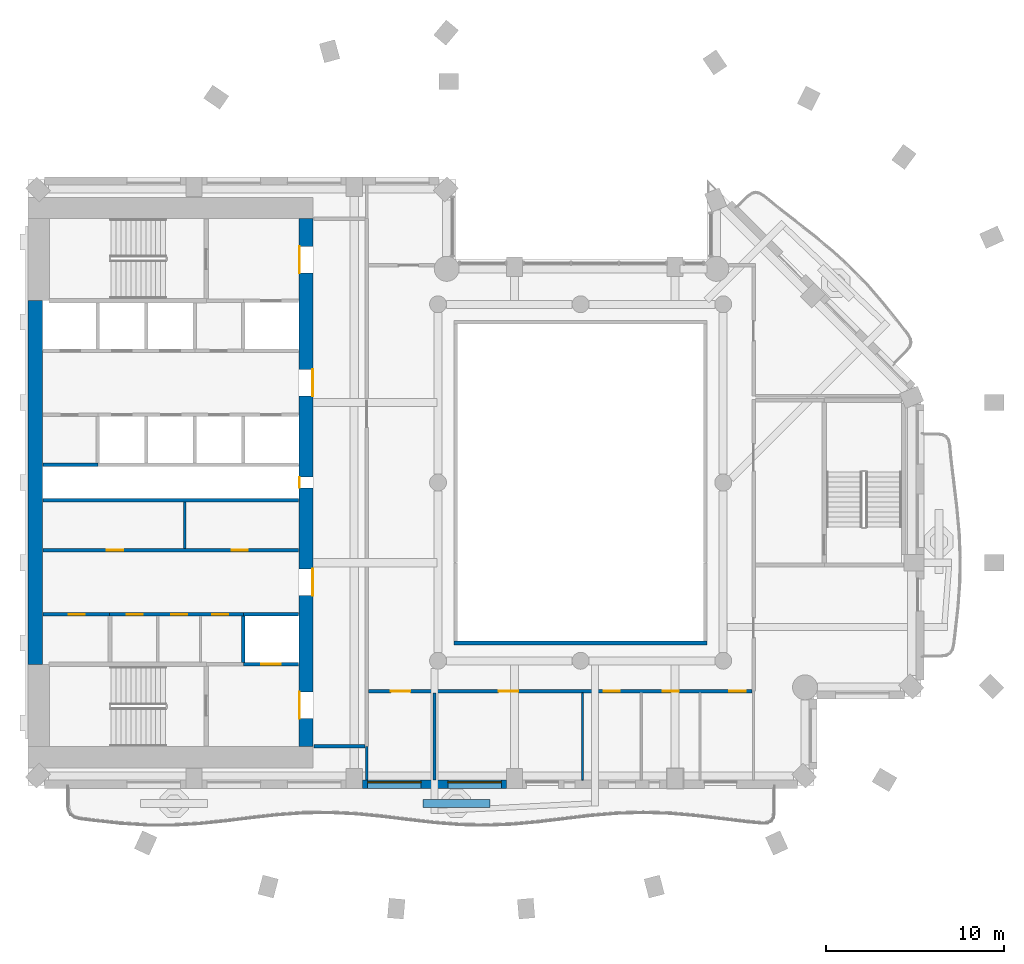
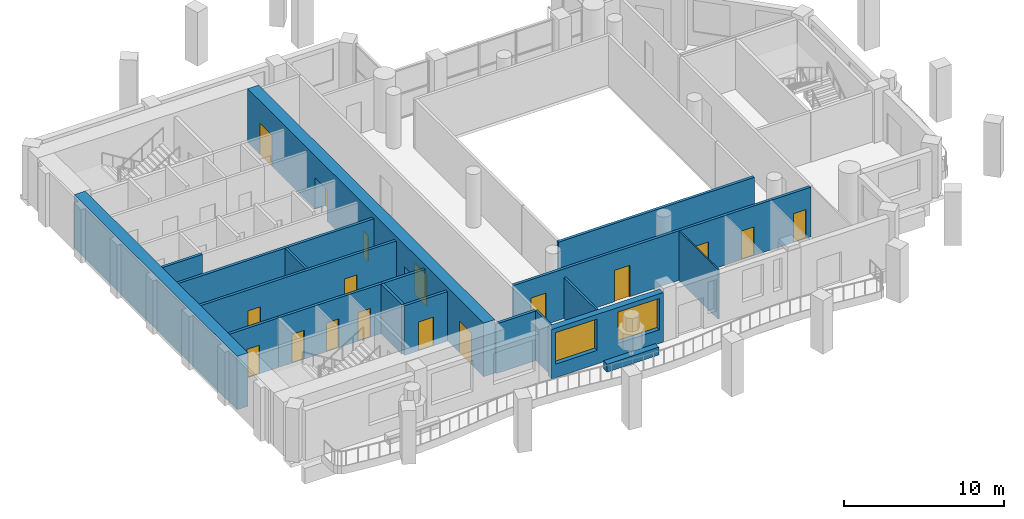
# One storey, part 4 of 15: 19 walls, 17 doors, 2 windows, 19 openings.
"""IFC4 building model written with IfcOpenShell, lengths in metres."""

from ifc_helpers import new_model, si_unit, direction, frame, frame_2d, origin, place, context, subcontext, project, spatial, rectangle, extrude, material, layer, layer_set, type_object, element, fill, save


model = new_model("IFC4")

# Units and contexts
model_context = context("Model", 3, precision=1e-05, world=origin(), true_north=direction((0.0, 1.0)))
body_context = subcontext(model_context, "Body", "Model", "MODEL_VIEW")
ifc_project = project(units=[si_unit("LENGTHUNIT", "METRE"), si_unit("AREAUNIT", "SQUARE_METRE"), si_unit("VOLUMEUNIT", "CUBIC_METRE"), si_unit("PLANEANGLEUNIT", "RADIAN"), si_unit("MASSUNIT", "GRAM", prefix="KILO")], contexts=[model_context])

# Site, building, storey
site_placement = place(None, origin())
site = spatial("IfcSite", under=ifc_project, at=site_placement, CompositionType="ELEMENT")
building_placement = place(site_placement, origin())
building = spatial("IfcBuilding", under=site, at=building_placement, Name="Cypress Arch Tower", CompositionType="ELEMENT")
storey_placement = place(building_placement, frame((0.0, 0.0, 213.800048828125)))
storey = spatial("IfcBuildingStorey", under=building, at=storey_placement, Name="L47", CompositionType="ELEMENT", Elevation=213.800048828125)

# Wall
ifc_material_1 = material(Name="Concrete C40/50, waterproofed", Category="concrete")
ifc_layer_1 = layer(ifc_material_1, 0.449951171875)
ifc_layer_set_1 = layer_set([ifc_layer_1], Name="Balcony planter wall PW450")
wall_type_1 = type_object("IfcWallType", Name="Balcony planter wall PW450", PredefinedType="SOLIDWALL", material=ifc_layer_set_1)
wall_1_placement = place(storey_placement, frame((-7.85009765625, -18.0, 0.0), z_axis=(0.0, 0.0, 1.0), x_axis=(1.0, 0.0, 0.0)))
element("IfcWall", 1, at=wall_1_placement, inside=storey, type_object=wall_type_1, Name="Balcony planter wall L47-B01.2", PredefinedType="SOLIDWALL", context=body_context, shape_type="SweptSolid", body=[
    extrude(rectangle(XDim=3.760009765625, YDim=0.449951171875, at=frame_2d((1.8798828125, 0.0))), origin(), (0.0, 0.0, 1.0), 0.599853515625),
])

# Wall, openings, windows
ifc_material_2 = material(Name="Brick (red buff blend)", Category="masonry")
ifc_layer_2 = layer(ifc_material_2, 0.449951171875)
ifc_layer_set_2 = layer_set([ifc_layer_2], Name="Brick pier and spandrel wall BW450")
wall_type_2 = type_object("IfcWallType", Name="Brick pier and spandrel wall BW450", PredefinedType="SOLIDWALL", material=ifc_layer_set_2)
wall_2_placement = place(storey_placement, frame((-11.25, -16.925048828125, 0.0), z_axis=(0.0, 0.0, 1.0), x_axis=(1.0, 0.0, 0.0)))
wall_2 = element("IfcWall", 2, at=wall_2_placement, inside=storey, type_object=wall_type_2, Name="Brick wall L47 B01.2", PredefinedType="SOLIDWALL", context=body_context, shape_type="SweptSolid", body=[
    extrude(rectangle(XDim=8.10009765625, YDim=0.449951171875, at=frame_2d((4.050048828125, 0.0))), origin(), (0.0, 0.0, 1.0), 3.800048828125),
])
opening_1_placement = place(wall_2_placement, frame((0.300048828125, 0.0, 1.050048828125)))
opening_1 = element("IfcOpeningElement", 3, at=opening_1_placement, cuts=wall_2, Name="Opening W300OD", PredefinedType="OPENING", context=body_context, shape_type="SweptSolid", body=[
    extrude(rectangle(XDim=3.0, YDim=2.39990234375, at=frame_2d((1.5, 1.199951171875))), frame((0.0, 0.23486328125, 0.0), z_axis=(0.0, -1.0, 0.0), x_axis=(1.0, 0.0, 0.0)), (0.0, 0.0, 1.0), 0.469970703125),
])
opening_2_placement = place(wall_2_placement, frame((4.800048828125, 0.0, 1.050048828125)))
opening_2 = element("IfcOpeningElement", 4, at=opening_2_placement, cuts=wall_2, Name="Opening W300OD", PredefinedType="OPENING", context=body_context, shape_type="SweptSolid", body=[
    extrude(rectangle(XDim=3.0, YDim=2.39990234375, at=frame_2d((1.5, 1.199951171875))), frame((0.0, 0.23486328125, 0.0), z_axis=(0.0, -1.0, 0.0), x_axis=(1.0, 0.0, 0.0)), (0.0, 0.0, 1.0), 0.469970703125),
])
ifc_material_3 = material(Name="Anodised aluminium, bronze finish, laminated low-emissivity double glazing, large-missile impact rated", Category="aluminium")
window_type = type_object("IfcWindowType", Name="Window Office 3000x2400 debris-rated", PartitioningType="SINGLE_PANEL", PredefinedType="WINDOW", material=ifc_material_3)
window_1_placement = place(opening_1_placement, origin())
window_1 = element("IfcWindow", 5, at=window_1_placement, inside=storey, type_object=window_type, Name="Window L47 B01.2.1", OverallHeight=2.39990234375, OverallWidth=3.0, PartitioningType="SINGLE_PANEL", PredefinedType="WINDOW", context=body_context, shape_type="SweptSolid", body=[
    extrude(rectangle(XDim=3.0, YDim=2.39990234375, at=frame_2d((1.5, 1.199951171875))), frame((0.0, 0.135009765625, 0.0), z_axis=(0.0, -1.0, 0.0), x_axis=(1.0, 0.0, 0.0)), (0.0, 0.0, 1.0), 0.06005859375),
])
fill(opening_1, window_1)
window_2_placement = place(opening_2_placement, origin())
window_2 = element("IfcWindow", 6, at=window_2_placement, inside=storey, type_object=window_type, Name="Window L47 B01.2.2", OverallHeight=2.39990234375, OverallWidth=3.0, PartitioningType="SINGLE_PANEL", PredefinedType="WINDOW", context=body_context, shape_type="SweptSolid", body=[
    extrude(rectangle(XDim=3.0, YDim=2.39990234375, at=frame_2d((1.5, 1.199951171875))), frame((0.0, 0.135009765625, 0.0), z_axis=(0.0, -1.0, 0.0), x_axis=(1.0, 0.0, 0.0)), (0.0, 0.0, 1.0), 0.06005859375),
])
fill(opening_2, window_2)

# Wall, openings, doors
ifc_material_4 = material(Name="Concrete C70/85", Category="concrete")
ifc_layer_3 = layer(ifc_material_4, 0.800048828125)
ifc_layer_set_3 = layer_set([ifc_layer_3], Name="Core wall CW800 C70/85")
wall_type_3 = type_object("IfcWallType", Name="Core wall CW800 C70/85", PredefinedType="SHEAR", material=ifc_layer_set_3)
wall_3_placement = place(storey_placement, frame((-14.39990234375, -14.800048828125, 0.0), z_axis=(0.0, 0.0, 1.0), x_axis=(0.0, 1.0, 0.0)))
wall_3 = element("IfcWall", 7, at=wall_3_placement, inside=storey, type_object=wall_type_3, Name="Core wall", PredefinedType="SHEAR", context=body_context, shape_type="SweptSolid", body=[
    extrude(rectangle(XDim=29.60009765625, YDim=0.800048828125, at=frame_2d((14.800048828125, 0.0))), origin(), (0.0, 0.0, 1.0), 4.099853515625),
])
opening_3_placement = place(wall_3_placement, frame((1.550048828125, 0.0, 0.0)))
opening_3 = element("IfcOpeningElement", 8, at=opening_3_placement, cuts=wall_3, Name="Opening D07", PredefinedType="OPENING", context=body_context, shape_type="SweptSolid", body=[
    extrude(rectangle(XDim=1.5, YDim=2.39990234375, at=frame_2d((0.75, 1.199951171875))), frame((0.0, 0.409912109375, 0.0), z_axis=(0.0, -1.0, 0.0), x_axis=(1.0, 0.0, 0.0)), (0.0, 0.0, 1.0), 0.820068359375),
])
opening_4_placement = place(wall_3_placement, frame((26.550048828125, 0.0, 0.0)))
opening_4 = element("IfcOpeningElement", 9, at=opening_4_placement, cuts=wall_3, Name="Opening D07", PredefinedType="OPENING", context=body_context, shape_type="SweptSolid", body=[
    extrude(rectangle(XDim=1.5, YDim=2.39990234375, at=frame_2d((0.75, 1.199951171875))), frame((0.0, 0.409912109375, 0.0), z_axis=(0.0, -1.0, 0.0), x_axis=(1.0, 0.0, 0.0)), (0.0, 0.0, 1.0), 0.820068359375),
])
opening_5_placement = place(wall_3_placement, frame((8.449951171875, 0.0, 0.0)))
opening_5 = element("IfcOpeningElement", 10, at=opening_5_placement, cuts=wall_3, Name="Opening D07", PredefinedType="OPENING", context=body_context, shape_type="SweptSolid", body=[
    extrude(rectangle(XDim=1.5, YDim=2.39990234375, at=frame_2d((0.75, 1.199951171875))), frame((0.0, 0.409912109375, 0.0), z_axis=(0.0, -1.0, 0.0), x_axis=(1.0, 0.0, 0.0)), (0.0, 0.0, 1.0), 0.820068359375),
])
opening_6_placement = place(wall_3_placement, frame((19.64990234375, 0.0, 0.0)))
opening_6 = element("IfcOpeningElement", 11, at=opening_6_placement, cuts=wall_3, Name="Opening D07", PredefinedType="OPENING", context=body_context, shape_type="SweptSolid", body=[
    extrude(rectangle(XDim=1.5, YDim=2.39990234375, at=frame_2d((0.75, 1.199951171875))), frame((0.0, 0.409912109375, 0.0), z_axis=(0.0, -1.0, 0.0), x_axis=(1.0, 0.0, 0.0)), (0.0, 0.0, 1.0), 0.820068359375),
])
opening_7_placement = place(wall_3_placement, frame((14.5, 0.0, 0.0)))
opening_7 = element("IfcOpeningElement", 12, at=opening_7_placement, cuts=wall_3, Name="Opening D08", PredefinedType="OPENING", context=body_context, shape_type="SweptSolid", body=[
    extrude(rectangle(XDim=0.60009765625, YDim=2.0, at=frame_2d((0.300048828125, 1.0))), frame((0.0, 0.409912109375, 0.0), z_axis=(0.0, -1.0, 0.0), x_axis=(1.0, 0.0, 0.0)), (0.0, 0.0, 1.0), 0.820068359375),
])
ifc_material_5 = material(Name="Steel framed glazed door, fire resisting", Category="steel")
door_type_1 = type_object("IfcDoorType", Name="Lobby door D07 1500x2400", OperationType="DOUBLE_DOOR_SINGLE_SWING", PredefinedType="DOOR", material=ifc_material_5)
door_1_placement = place(opening_3_placement, origin())
door_1 = element("IfcDoor", 13, at=door_1_placement, inside=storey, type_object=door_type_1, Name="Lobby door", OperationType="DOUBLE_DOOR_SINGLE_SWING", OverallHeight=2.39990234375, OverallWidth=1.5, PredefinedType="DOOR", context=body_context, shape_type="SweptSolid", body=[
    extrude(rectangle(XDim=1.5, YDim=2.39990234375, at=frame_2d((0.75, 1.199951171875))), frame((0.0, 0.39501953125, 0.0), z_axis=(0.0, -1.0, 0.0), x_axis=(1.0, 0.0, 0.0)), (0.0, 0.0, 1.0), 0.050048828125),
])
fill(opening_3, door_1)
door_2_placement = place(opening_4_placement, origin())
door_2 = element("IfcDoor", 14, at=door_2_placement, inside=storey, type_object=door_type_1, Name="Lobby door", OperationType="DOUBLE_DOOR_SINGLE_SWING", OverallHeight=2.39990234375, OverallWidth=1.5, PredefinedType="DOOR", context=body_context, shape_type="SweptSolid", body=[
    extrude(rectangle(XDim=1.5, YDim=2.39990234375, at=frame_2d((0.75, 1.199951171875))), frame((0.0, 0.39501953125, 0.0), z_axis=(0.0, -1.0, 0.0), x_axis=(1.0, 0.0, 0.0)), (0.0, 0.0, 1.0), 0.050048828125),
])
fill(opening_4, door_2)
door_3_placement = place(opening_5_placement, origin())
door_3 = element("IfcDoor", 15, at=door_3_placement, inside=storey, type_object=door_type_1, Name="Lobby door", OperationType="DOUBLE_DOOR_SINGLE_SWING", OverallHeight=2.39990234375, OverallWidth=1.5, PredefinedType="DOOR", context=body_context, shape_type="SweptSolid", body=[
    extrude(rectangle(XDim=1.5, YDim=2.39990234375, at=frame_2d((0.75, 1.199951171875))), frame((0.0, -0.34521484375, 0.0), z_axis=(0.0, -1.0, 0.0), x_axis=(1.0, 0.0, 0.0)), (0.0, 0.0, 1.0), 0.050048828125),
])
fill(opening_5, door_3)
door_4_placement = place(opening_6_placement, origin())
door_4 = element("IfcDoor", 16, at=door_4_placement, inside=storey, type_object=door_type_1, Name="Lobby door", OperationType="DOUBLE_DOOR_SINGLE_SWING", OverallHeight=2.39990234375, OverallWidth=1.5, PredefinedType="DOOR", context=body_context, shape_type="SweptSolid", body=[
    extrude(rectangle(XDim=1.5, YDim=2.39990234375, at=frame_2d((0.75, 1.199951171875))), frame((0.0, -0.34521484375, 0.0), z_axis=(0.0, -1.0, 0.0), x_axis=(1.0, 0.0, 0.0)), (0.0, 0.0, 1.0), 0.050048828125),
])
fill(opening_6, door_4)
ifc_material_6 = material(Name="Steel access door, fire resisting", Category="steel")
door_type_2 = type_object("IfcDoorType", Name="Riser access door D08 600x2000", OperationType="SINGLE_SWING_LEFT", PredefinedType="DOOR", material=ifc_material_6)
door_5_placement = place(opening_7_placement, origin())
door_5 = element("IfcDoor", 17, at=door_5_placement, inside=storey, type_object=door_type_2, Name="Riser access door", OperationType="SINGLE_SWING_RIGHT", OverallHeight=2.0, OverallWidth=0.60009765625, PredefinedType="DOOR", context=body_context, shape_type="SweptSolid", body=[
    extrude(rectangle(XDim=0.60009765625, YDim=2.0, at=frame_2d((0.300048828125, 1.0))), frame((0.0, 0.39501953125, 0.0), z_axis=(0.0, -1.0, 0.0), x_axis=(1.0, 0.0, 0.0)), (0.0, 0.0, 1.0), 0.050048828125),
])
fill(opening_7, door_5)

# Wall
wall_4_placement = place(storey_placement, frame((-29.60009765625, -10.199951171875, 0.0), z_axis=(0.0, 0.0, 1.0), x_axis=(0.0, 1.0, 0.0)))
element("IfcWall", 18, at=wall_4_placement, inside=storey, type_object=wall_type_3, Name="Core wall", PredefinedType="SHEAR", context=body_context, shape_type="SweptSolid", body=[
    extrude(rectangle(XDim=20.39990234375, YDim=0.800048828125, at=frame_2d((10.199951171875, 0.0))), origin(), (0.0, 0.0, 1.0), 4.099853515625),
])

# Wall, openings, doors
ifc_material_7 = material(Name="Concrete blockwork, plastered, rated", Category="masonry")
ifc_layer_4 = layer(ifc_material_7, 0.199951171875)
ifc_layer_set_4 = layer_set([ifc_layer_4], Name="Corridor wall FW200")
wall_type_4 = type_object("IfcWallType", Name="Corridor wall FW200", PredefinedType="PARTITIONING", material=ifc_layer_set_4)
wall_5_placement = place(storey_placement, frame((-29.169921875, -3.800048828125, 0.0), z_axis=(0.0, 0.0, 1.0), x_axis=(1.0, 0.0, 0.0)))
wall_5 = element("IfcWall", 19, at=wall_5_placement, inside=storey, type_object=wall_type_4, Name="Corridor wall", PredefinedType="PARTITIONING", context=body_context, shape_type="SweptSolid", body=[
    extrude(rectangle(XDim=14.33984375, YDim=0.199951171875, at=frame_2d((7.169921875, 0.0))), origin(), (0.0, 0.0, 1.0), 3.800048828125),
])
opening_8_placement = place(wall_5_placement, frame((3.60009765625, 0.0, 0.0)))
opening_8 = element("IfcOpeningElement", 20, at=opening_8_placement, cuts=wall_5, Name="Opening D05", PredefinedType="OPENING", context=body_context, shape_type="SweptSolid", body=[
    extrude(rectangle(XDim=0.89990234375, YDim=2.199951171875, at=frame_2d((0.449951171875, 1.10009765625))), frame((0.0, 0.10986328125, 0.0), z_axis=(0.0, -1.0, 0.0), x_axis=(1.0, 0.0, 0.0)), (0.0, 0.0, 1.0), 0.219970703125),
])
opening_9_placement = place(wall_5_placement, frame((10.60009765625, 0.0, 0.0)))
opening_9 = element("IfcOpeningElement", 21, at=opening_9_placement, cuts=wall_5, Name="Opening D05", PredefinedType="OPENING", context=body_context, shape_type="SweptSolid", body=[
    extrude(rectangle(XDim=0.89990234375, YDim=2.199951171875, at=frame_2d((0.449951171875, 1.10009765625))), frame((0.0, 0.10986328125, 0.0), z_axis=(0.0, -1.0, 0.0), x_axis=(1.0, 0.0, 0.0)), (0.0, 0.0, 1.0), 0.219970703125),
])
ifc_material_8 = material(Name="Timber flush door", Category="wood")
door_type_3 = type_object("IfcDoorType", Name="Service door D05 900x2200", OperationType="SINGLE_SWING_LEFT", PredefinedType="DOOR", material=ifc_material_8)
door_6_placement = place(opening_8_placement, origin())
door_6 = element("IfcDoor", 22, at=door_6_placement, inside=storey, type_object=door_type_3, Name="Service door", OperationType="SINGLE_SWING_LEFT", OverallHeight=2.199951171875, OverallWidth=0.89990234375, PredefinedType="DOOR", context=body_context, shape_type="SweptSolid", body=[
    extrude(rectangle(XDim=0.89990234375, YDim=2.199951171875, at=frame_2d((0.449951171875, 1.10009765625))), frame((0.0, 0.02490234375, 0.0), z_axis=(0.0, -1.0, 0.0), x_axis=(1.0, 0.0, 0.0)), (0.0, 0.0, 1.0), 0.050048828125),
])
fill(opening_8, door_6)
door_7_placement = place(opening_9_placement, origin())
door_7 = element("IfcDoor", 23, at=door_7_placement, inside=storey, type_object=door_type_3, Name="Service door", OperationType="SINGLE_SWING_LEFT", OverallHeight=2.199951171875, OverallWidth=0.89990234375, PredefinedType="DOOR", context=body_context, shape_type="SweptSolid", body=[
    extrude(rectangle(XDim=0.89990234375, YDim=2.199951171875, at=frame_2d((0.449951171875, 1.10009765625))), frame((0.0, 0.02490234375, 0.0), z_axis=(0.0, -1.0, 0.0), x_axis=(1.0, 0.0, 0.0)), (0.0, 0.0, 1.0), 0.050048828125),
])
fill(opening_9, door_7)

wall_6_placement = place(storey_placement, frame((-25.419921875, -7.39990234375, 0.0), z_axis=(0.0, 0.0, 1.0), x_axis=(1.0, 0.0, 0.0)))
wall_6 = element("IfcWall", 24, at=wall_6_placement, inside=storey, type_object=wall_type_4, Name="Corridor wall", PredefinedType="PARTITIONING", context=body_context, shape_type="SweptSolid", body=[
    extrude(rectangle(XDim=7.52001953125, YDim=0.199951171875, at=frame_2d((3.760009765625, 0.0))), origin(), (0.0, 0.0, 1.0), 3.800048828125),
])
opening_10_placement = place(wall_6_placement, frame((0.949951171875, 0.0, 0.0)))
opening_10 = element("IfcOpeningElement", 25, at=opening_10_placement, cuts=wall_6, Name="Opening D05", PredefinedType="OPENING", context=body_context, shape_type="SweptSolid", body=[
    extrude(rectangle(XDim=0.89990234375, YDim=2.199951171875, at=frame_2d((0.449951171875, 1.10009765625))), frame((0.0, 0.10986328125, 0.0), z_axis=(0.0, -1.0, 0.0), x_axis=(1.0, 0.0, 0.0)), (0.0, 0.0, 1.0), 0.219970703125),
])
opening_11_placement = place(wall_6_placement, frame((3.449951171875, 0.0, 0.0)))
opening_11 = element("IfcOpeningElement", 26, at=opening_11_placement, cuts=wall_6, Name="Opening D05", PredefinedType="OPENING", context=body_context, shape_type="SweptSolid", body=[
    extrude(rectangle(XDim=0.89990234375, YDim=2.199951171875, at=frame_2d((0.449951171875, 1.10009765625))), frame((0.0, 0.10986328125, 0.0), z_axis=(0.0, -1.0, 0.0), x_axis=(1.0, 0.0, 0.0)), (0.0, 0.0, 1.0), 0.219970703125),
])
opening_12_placement = place(wall_6_placement, frame((5.75, 0.0, 0.0)))
opening_12 = element("IfcOpeningElement", 27, at=opening_12_placement, cuts=wall_6, Name="Opening D05", PredefinedType="OPENING", context=body_context, shape_type="SweptSolid", body=[
    extrude(rectangle(XDim=0.89990234375, YDim=2.199951171875, at=frame_2d((0.449951171875, 1.10009765625))), frame((0.0, 0.10986328125, 0.0), z_axis=(0.0, -1.0, 0.0), x_axis=(1.0, 0.0, 0.0)), (0.0, 0.0, 1.0), 0.219970703125),
])
door_8_placement = place(opening_10_placement, origin())
door_8 = element("IfcDoor", 28, at=door_8_placement, inside=storey, type_object=door_type_3, Name="Service door", OperationType="SINGLE_SWING_LEFT", OverallHeight=2.199951171875, OverallWidth=0.89990234375, PredefinedType="DOOR", context=body_context, shape_type="SweptSolid", body=[
    extrude(rectangle(XDim=0.89990234375, YDim=2.199951171875, at=frame_2d((0.449951171875, 1.10009765625))), frame((0.0, 0.02490234375, 0.0), z_axis=(0.0, -1.0, 0.0), x_axis=(1.0, 0.0, 0.0)), (0.0, 0.0, 1.0), 0.050048828125),
])
fill(opening_10, door_8)
door_9_placement = place(opening_11_placement, origin())
door_9 = element("IfcDoor", 29, at=door_9_placement, inside=storey, type_object=door_type_3, Name="Service door", OperationType="SINGLE_SWING_RIGHT", OverallHeight=2.199951171875, OverallWidth=0.89990234375, PredefinedType="DOOR", context=body_context, shape_type="SweptSolid", body=[
    extrude(rectangle(XDim=0.89990234375, YDim=2.199951171875, at=frame_2d((0.449951171875, 1.10009765625))), frame((0.0, 0.02490234375, 0.0), z_axis=(0.0, -1.0, 0.0), x_axis=(1.0, 0.0, 0.0)), (0.0, 0.0, 1.0), 0.050048828125),
])
fill(opening_11, door_9)
door_10_placement = place(opening_12_placement, origin())
door_10 = element("IfcDoor", 30, at=door_10_placement, inside=storey, type_object=door_type_3, Name="Service door", OperationType="SINGLE_SWING_RIGHT", OverallHeight=2.199951171875, OverallWidth=0.89990234375, PredefinedType="DOOR", context=body_context, shape_type="SweptSolid", body=[
    extrude(rectangle(XDim=0.89990234375, YDim=2.199951171875, at=frame_2d((0.449951171875, 1.10009765625))), frame((0.0, 0.02490234375, 0.0), z_axis=(0.0, -1.0, 0.0), x_axis=(1.0, 0.0, 0.0)), (0.0, 0.0, 1.0), 0.050048828125),
])
fill(opening_12, door_10)

# Wall
wall_7_placement = place(storey_placement, frame((-13.969970703125, -14.800048828125, 0.0), z_axis=(0.0, 0.0, 1.0), x_axis=(1.0, 0.0, 0.0)))
element("IfcWall", 31, at=wall_7_placement, inside=storey, type_object=wall_type_4, Name="Corridor wall", PredefinedType="PARTITIONING", context=body_context, shape_type="SweptSolid", body=[
    extrude(rectangle(XDim=2.869873046875, YDim=0.199951171875, at=frame_2d((1.43505859375, 0.0))), origin(), (0.0, 0.0, 1.0), 3.800048828125),
])

# Wall, openings, doors
wall_8_placement = place(storey_placement, frame((-10.89990234375, -11.699951171875, 0.0), z_axis=(0.0, 0.0, 1.0), x_axis=(1.0, 0.0, 0.0)))
wall_8 = element("IfcWall", 32, at=wall_8_placement, inside=storey, type_object=wall_type_4, Name="Corridor wall", PredefinedType="PARTITIONING", context=body_context, shape_type="SweptSolid", body=[
    extrude(rectangle(XDim=21.5, YDim=0.199951171875, at=frame_2d((10.75, 0.0))), origin(), (0.0, 0.0, 1.0), 3.800048828125),
])
opening_13_placement = place(wall_8_placement, frame((13.199951171875, 0.0, 0.0)))
opening_13 = element("IfcOpeningElement", 33, at=opening_13_placement, cuts=wall_8, Name="Opening D03", PredefinedType="OPENING", context=body_context, shape_type="SweptSolid", body=[
    extrude(rectangle(XDim=0.89990234375, YDim=2.199951171875, at=frame_2d((0.449951171875, 1.10009765625))), frame((0.0, 0.10986328125, 0.0), z_axis=(0.0, -1.0, 0.0), x_axis=(1.0, 0.0, 0.0)), (0.0, 0.0, 1.0), 0.219970703125),
])
opening_14_placement = place(wall_8_placement, frame((16.5, 0.0, 0.0)))
opening_14 = element("IfcOpeningElement", 34, at=opening_14_placement, cuts=wall_8, Name="Opening D03", PredefinedType="OPENING", context=body_context, shape_type="SweptSolid", body=[
    extrude(rectangle(XDim=0.89990234375, YDim=2.199951171875, at=frame_2d((0.449951171875, 1.10009765625))), frame((0.0, 0.10986328125, 0.0), z_axis=(0.0, -1.0, 0.0), x_axis=(1.0, 0.0, 0.0)), (0.0, 0.0, 1.0), 0.219970703125),
])
opening_15_placement = place(wall_8_placement, frame((20.25, 0.0, 0.0)))
opening_15 = element("IfcOpeningElement", 35, at=opening_15_placement, cuts=wall_8, Name="Opening D03", PredefinedType="OPENING", context=body_context, shape_type="SweptSolid", body=[
    extrude(rectangle(XDim=0.89990234375, YDim=2.199951171875, at=frame_2d((0.449951171875, 1.10009765625))), frame((0.0, 0.10986328125, 0.0), z_axis=(0.0, -1.0, 0.0), x_axis=(1.0, 0.0, 0.0)), (0.0, 0.0, 1.0), 0.219970703125),
])
opening_16_placement = place(wall_8_placement, frame((1.25, 0.0, 0.0)))
opening_16 = element("IfcOpeningElement", 36, at=opening_16_placement, cuts=wall_8, Name="Opening D01", PredefinedType="OPENING", context=body_context, shape_type="SweptSolid", body=[
    extrude(rectangle(XDim=1.10009765625, YDim=2.39990234375, at=frame_2d((0.550048828125, 1.199951171875))), frame((0.0, 0.10986328125, 0.0), z_axis=(0.0, -1.0, 0.0), x_axis=(1.0, 0.0, 0.0)), (0.0, 0.0, 1.0), 0.219970703125),
])
opening_17_placement = place(wall_8_placement, frame((7.300048828125, 0.0, 0.0)))
opening_17 = element("IfcOpeningElement", 37, at=opening_17_placement, cuts=wall_8, Name="Opening D01", PredefinedType="OPENING", context=body_context, shape_type="SweptSolid", body=[
    extrude(rectangle(XDim=1.10009765625, YDim=2.39990234375, at=frame_2d((0.550048828125, 1.199951171875))), frame((0.0, 0.10986328125, 0.0), z_axis=(0.0, -1.0, 0.0), x_axis=(1.0, 0.0, 0.0)), (0.0, 0.0, 1.0), 0.219970703125),
])
ifc_material_9 = material(Name="Timber flush door, moisture resistant", Category="wood")
door_type_4 = type_object("IfcDoorType", Name="Bathroom door D03 900x2200", OperationType="SINGLE_SWING_LEFT", PredefinedType="DOOR", material=ifc_material_9)
door_11_placement = place(opening_13_placement, origin())
door_11 = element("IfcDoor", 38, at=door_11_placement, inside=storey, type_object=door_type_4, Name="Bathroom door", OperationType="SINGLE_SWING_LEFT", OverallHeight=2.199951171875, OverallWidth=0.89990234375, PredefinedType="DOOR", context=body_context, shape_type="SweptSolid", body=[
    extrude(rectangle(XDim=0.89990234375, YDim=2.199951171875, at=frame_2d((0.449951171875, 1.10009765625))), frame((0.0, 0.02490234375, 0.0), z_axis=(0.0, -1.0, 0.0), x_axis=(1.0, 0.0, 0.0)), (0.0, 0.0, 1.0), 0.050048828125),
])
fill(opening_13, door_11)
door_12_placement = place(opening_14_placement, origin())
door_12 = element("IfcDoor", 39, at=door_12_placement, inside=storey, type_object=door_type_4, Name="Bathroom door", OperationType="SINGLE_SWING_LEFT", OverallHeight=2.199951171875, OverallWidth=0.89990234375, PredefinedType="DOOR", context=body_context, shape_type="SweptSolid", body=[
    extrude(rectangle(XDim=0.89990234375, YDim=2.199951171875, at=frame_2d((0.449951171875, 1.10009765625))), frame((0.0, 0.02490234375, 0.0), z_axis=(0.0, -1.0, 0.0), x_axis=(1.0, 0.0, 0.0)), (0.0, 0.0, 1.0), 0.050048828125),
])
fill(opening_14, door_12)
door_13_placement = place(opening_15_placement, origin())
door_13 = element("IfcDoor", 40, at=door_13_placement, inside=storey, type_object=door_type_4, Name="Bathroom door", OperationType="SINGLE_SWING_LEFT", OverallHeight=2.199951171875, OverallWidth=0.89990234375, PredefinedType="DOOR", context=body_context, shape_type="SweptSolid", body=[
    extrude(rectangle(XDim=0.89990234375, YDim=2.199951171875, at=frame_2d((0.449951171875, 1.10009765625))), frame((0.0, 0.02490234375, 0.0), z_axis=(0.0, -1.0, 0.0), x_axis=(1.0, 0.0, 0.0)), (0.0, 0.0, 1.0), 0.050048828125),
])
fill(opening_15, door_13)
ifc_material_10 = material(Name="Timber flush door, fire resisting, self-closing", Category="wood")
door_type_5 = type_object("IfcDoorType", Name="Unit entrance door D01 1100x2400", OperationType="SINGLE_SWING_LEFT", PredefinedType="DOOR", material=ifc_material_10)
door_14_placement = place(opening_16_placement, origin())
door_14 = element("IfcDoor", 41, at=door_14_placement, inside=storey, type_object=door_type_5, Name="Unit entrance door", OperationType="SINGLE_SWING_RIGHT", OverallHeight=2.39990234375, OverallWidth=1.10009765625, PredefinedType="DOOR", context=body_context, shape_type="SweptSolid", body=[
    extrude(rectangle(XDim=1.10009765625, YDim=2.39990234375, at=frame_2d((0.550048828125, 1.199951171875))), frame((0.0, 0.02490234375, 0.0), z_axis=(0.0, -1.0, 0.0), x_axis=(1.0, 0.0, 0.0)), (0.0, 0.0, 1.0), 0.050048828125),
])
fill(opening_16, door_14)
door_15_placement = place(opening_17_placement, origin())
door_15 = element("IfcDoor", 42, at=door_15_placement, inside=storey, type_object=door_type_5, Name="Unit entrance door", OperationType="SINGLE_SWING_RIGHT", OverallHeight=2.39990234375, OverallWidth=1.10009765625, PredefinedType="DOOR", context=body_context, shape_type="SweptSolid", body=[
    extrude(rectangle(XDim=1.10009765625, YDim=2.39990234375, at=frame_2d((0.550048828125, 1.199951171875))), frame((0.0, 0.02490234375, 0.0), z_axis=(0.0, -1.0, 0.0), x_axis=(1.0, 0.0, 0.0)), (0.0, 0.0, 1.0), 0.050048828125),
])
fill(opening_17, door_15)

# Walls
wall_9_placement = place(storey_placement, frame((-6.10009765625, -9.0, 0.0), z_axis=(0.0, 0.0, 1.0), x_axis=(1.0, 0.0, 0.0)))
element("IfcWall", 43, at=wall_9_placement, inside=storey, type_object=wall_type_4, Name="Corridor wall", PredefinedType="PARTITIONING", context=body_context, shape_type="SweptSolid", body=[
    extrude(rectangle(XDim=14.2001953125, YDim=0.199951171875, at=frame_2d((7.10009765625, 0.0))), origin(), (0.0, 0.0, 1.0), 3.800048828125),
])
ifc_material_11 = material(Name="Blockwork, plastered both sides", Category="masonry")
ifc_layer_5 = layer(ifc_material_11, 0.14990234375)
ifc_layer_set_5 = layer_set([ifc_layer_5], Name="Partition PW150")
wall_type_5 = type_object("IfcWallType", Name="Partition PW150", PredefinedType="PARTITIONING", material=ifc_layer_set_5)
wall_10_placement = place(storey_placement, frame((-21.199951171875, -3.699951171875, 0.0), z_axis=(0.0, 0.0, 1.0), x_axis=(0.0, 1.0, 0.0)))
element("IfcWall", 44, at=wall_10_placement, inside=storey, type_object=wall_type_5, Name="Partition", PredefinedType="PARTITIONING", context=body_context, shape_type="SweptSolid", body=[
    extrude(rectangle(XDim=2.599853515625, YDim=0.14990234375, at=frame_2d((1.2998046875, 0.0))), origin(), (0.0, 0.0, 1.0), 3.800048828125),
])
wall_11_placement = place(storey_placement, frame((-11.0, -16.699951171875, 0.0), z_axis=(0.0, 0.0, 1.0), x_axis=(0.0, 1.0, 0.0)))
element("IfcWall", 45, at=wall_11_placement, inside=storey, type_object=wall_type_5, Name="Partition", PredefinedType="PARTITIONING", context=body_context, shape_type="SweptSolid", body=[
    extrude(rectangle(XDim=1.8798828125, YDim=0.14990234375, at=frame_2d((0.93994140625, 0.0))), origin(), (0.0, 0.0, 1.0), 3.800048828125),
])
wall_12_placement = place(storey_placement, frame((-7.199951171875, -16.699951171875, 0.0), z_axis=(0.0, 0.0, 1.0), x_axis=(0.0, 1.0, 0.0)))
element("IfcWall", 46, at=wall_12_placement, inside=storey, type_object=wall_type_5, Name="Partition", PredefinedType="PARTITIONING", context=body_context, shape_type="SweptSolid", body=[
    extrude(rectangle(XDim=4.89990234375, YDim=0.14990234375, at=frame_2d((2.449951171875, 0.0))), origin(), (0.0, 0.0, 1.0), 3.14990234375),
])

# Wall, opening, door
ifc_material_12 = material(Name="Reinforced blockwork, plastered, rated", Category="masonry")
ifc_layer_6 = layer(ifc_material_12, 0.199951171875)
ifc_layer_set_6 = layer_set([ifc_layer_6], Name="Plant and riser wall PL200")
wall_type_6 = type_object("IfcWallType", Name="Plant and riser wall PL200", PredefinedType="PARTITIONING", material=ifc_layer_set_6)
wall_13_placement = place(storey_placement, frame((-29.169921875, -7.39990234375, 0.0), z_axis=(0.0, 0.0, 1.0), x_axis=(1.0, 0.0, 0.0)))
wall_13 = element("IfcWall", 47, at=wall_13_placement, inside=storey, type_object=wall_type_6, Name="Plant and riser wall", PredefinedType="PARTITIONING", context=body_context, shape_type="SweptSolid", body=[
    extrude(rectangle(XDim=3.75, YDim=0.199951171875, at=frame_2d((1.875, 0.0))), origin(), (0.0, 0.0, 1.0), 3.800048828125),
])
opening_18_placement = place(wall_13_placement, frame((1.449951171875, 0.0, 0.0)))
opening_18 = element("IfcOpeningElement", 48, at=opening_18_placement, cuts=wall_13, Name="Opening D05", PredefinedType="OPENING", context=body_context, shape_type="SweptSolid", body=[
    extrude(rectangle(XDim=0.89990234375, YDim=2.199951171875, at=frame_2d((0.449951171875, 1.10009765625))), frame((0.0, 0.10986328125, 0.0), z_axis=(0.0, -1.0, 0.0), x_axis=(1.0, 0.0, 0.0)), (0.0, 0.0, 1.0), 0.219970703125),
])
door_16_placement = place(opening_18_placement, origin())
door_16 = element("IfcDoor", 49, at=door_16_placement, inside=storey, type_object=door_type_3, Name="Service door", OperationType="SINGLE_SWING_LEFT", OverallHeight=2.199951171875, OverallWidth=0.89990234375, PredefinedType="DOOR", context=body_context, shape_type="SweptSolid", body=[
    extrude(rectangle(XDim=0.89990234375, YDim=2.199951171875, at=frame_2d((0.449951171875, 1.10009765625))), frame((0.0, 0.02490234375, 0.0), z_axis=(0.0, -1.0, 0.0), x_axis=(1.0, 0.0, 0.0)), (0.0, 0.0, 1.0), 0.050048828125),
])
fill(opening_18, door_16)

# Walls
wall_14_placement = place(storey_placement, frame((-29.169921875, -1.0, 0.0), z_axis=(0.0, 0.0, 1.0), x_axis=(1.0, 0.0, 0.0)))
element("IfcWall", 50, at=wall_14_placement, inside=storey, type_object=wall_type_6, Name="Plant and riser wall", PredefinedType="PARTITIONING", context=body_context, shape_type="SweptSolid", body=[
    extrude(rectangle(XDim=14.33984375, YDim=0.199951171875, at=frame_2d((7.169921875, 0.0))), origin(), (0.0, 0.0, 1.0), 3.800048828125),
])
wall_15_placement = place(storey_placement, frame((-29.169921875, 1.0, 0.0), z_axis=(0.0, 0.0, 1.0), x_axis=(1.0, 0.0, 0.0)))
element("IfcWall", 51, at=wall_15_placement, inside=storey, type_object=wall_type_6, Name="Plant and riser wall", PredefinedType="PARTITIONING", context=body_context, shape_type="SweptSolid", body=[
    extrude(rectangle(XDim=3.08984375, YDim=0.199951171875, at=frame_2d((1.544921875, 0.0))), origin(), (0.0, 0.0, 1.0), 3.800048828125),
])
ifc_material_13 = material(Name="Concrete C50/60", Category="concrete")
ifc_layer_7 = layer(ifc_material_13, 0.199951171875)
ifc_layer_set_7 = layer_set([ifc_layer_7], Name="Shaft wall SH200")
wall_type_7 = type_object("IfcWallType", Name="Shaft wall SH200", PredefinedType="SHEAR", material=ifc_layer_set_7)
wall_16_placement = place(storey_placement, frame((-17.919921875, -10.10009765625, 0.0), z_axis=(0.0, 0.0, 1.0), x_axis=(0.0, 1.0, 0.0)))
element("IfcWall", 52, at=wall_16_placement, inside=storey, type_object=wall_type_7, Name="Shaft wall", PredefinedType="SHEAR", context=body_context, shape_type="SweptSolid", body=[
    extrude(rectangle(XDim=2.60009765625, YDim=0.199951171875, at=frame_2d((1.300048828125, 0.0))), origin(), (0.0, 0.0, 1.0), 3.800048828125),
])

# Wall, opening, door
wall_17_placement = place(storey_placement, frame((-17.919921875, -10.199951171875, 0.0), z_axis=(0.0, 0.0, 1.0), x_axis=(1.0, 0.0, 0.0)))
wall_17 = element("IfcWall", 53, at=wall_17_placement, inside=storey, type_object=wall_type_7, Name="Shaft wall", PredefinedType="SHEAR", context=body_context, shape_type="SweptSolid", body=[
    extrude(rectangle(XDim=3.08984375, YDim=0.199951171875, at=frame_2d((1.544921875, 0.0))), origin(), (0.0, 0.0, 1.0), 3.800048828125),
])
opening_19_placement = place(wall_17_placement, frame((1.0, 0.0, 0.0)))
opening_19 = element("IfcOpeningElement", 54, at=opening_19_placement, cuts=wall_17, Name="Opening LD-FL1", PredefinedType="OPENING", context=body_context, shape_type="SweptSolid", body=[
    extrude(rectangle(XDim=1.10009765625, YDim=2.199951171875, at=frame_2d((0.550048828125, 1.10009765625))), frame((0.0, 0.10986328125, 0.0), z_axis=(0.0, -1.0, 0.0), x_axis=(1.0, 0.0, 0.0)), (0.0, 0.0, 1.0), 0.219970703125),
])
ifc_material_14 = material(Name="Stainless steel centre-opening landing door, rated", Category="steel")
door_type_6 = type_object("IfcDoorType", Name="Lift landing door LD 1100x2200", OperationType="DOUBLE_DOOR_SLIDING", PredefinedType="DOOR", material=ifc_material_14)
door_17_placement = place(opening_19_placement, origin())
door_17 = element("IfcDoor", 55, at=door_17_placement, inside=storey, type_object=door_type_6, Name="Lift landing doors FL1", OperationType="DOUBLE_DOOR_SLIDING", OverallHeight=2.199951171875, OverallWidth=1.10009765625, PredefinedType="DOOR", context=body_context, shape_type="SweptSolid", body=[
    extrude(rectangle(XDim=1.10009765625, YDim=2.199951171875, at=frame_2d((0.550048828125, 1.10009765625))), frame((0.0, 0.02490234375, 0.0), z_axis=(0.0, -1.0, 0.0), x_axis=(1.0, 0.0, 0.0)), (0.0, 0.0, 1.0), 0.050048828125),
])
fill(opening_19, door_17)

# Walls
wall_18_placement = place(storey_placement, frame((-17.89990234375, -7.39990234375, 0.0), z_axis=(0.0, 0.0, 1.0), x_axis=(1.0, 0.0, 0.0)))
element("IfcWall", 56, at=wall_18_placement, inside=storey, type_object=wall_type_7, Name="Shaft wall", PredefinedType="SHEAR", context=body_context, shape_type="SweptSolid", body=[
    extrude(rectangle(XDim=3.06982421875, YDim=0.199951171875, at=frame_2d((1.534912109375, 0.0))), origin(), (0.0, 0.0, 1.0), 3.800048828125),
])
ifc_material_15 = material(Name="Moisture resistant board on steel studs, tiled", Category="steel")
ifc_layer_8 = layer(ifc_material_15, 0.10009765625)
ifc_layer_set_8 = layer_set([ifc_layer_8], Name="Wet wall PW100")
wall_type_8 = type_object("IfcWallType", Name="Wet wall PW100", PredefinedType="PARTITIONING", material=ifc_layer_set_8)
wall_19_placement = place(storey_placement, frame((1.10009765625, -16.699951171875, 0.0), z_axis=(0.0, 0.0, 1.0), x_axis=(0.0, 1.0, 0.0)))
element("IfcWall", 57, at=wall_19_placement, inside=storey, type_object=wall_type_8, Name="Wet wall", PredefinedType="PARTITIONING", context=body_context, shape_type="SweptSolid", body=[
    extrude(rectangle(XDim=4.89990234375, YDim=0.10009765625, at=frame_2d((2.449951171875, 0.0))), origin(), (0.0, 0.0, 1.0), 3.800048828125),
])

save(model, "model.ifc")
